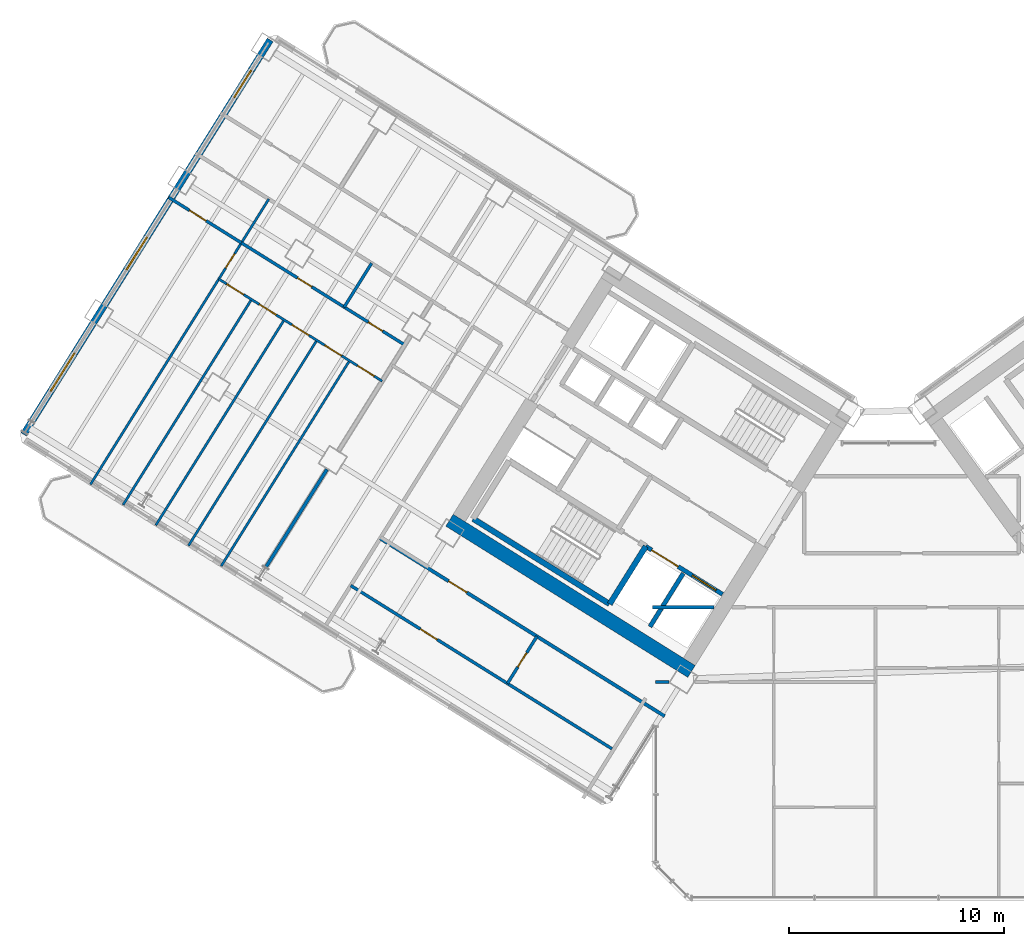
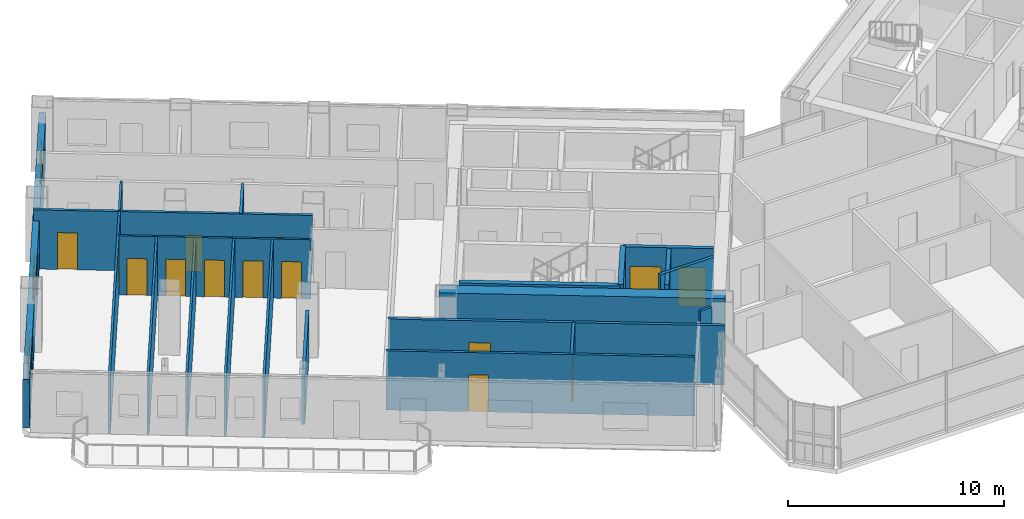
# One storey, part 15 of 28: 21 walls, 14 doors, 3 windows, 17 openings.
"""IFC4 building model written with IfcOpenShell, lengths in metres."""

from ifc_helpers import new_model, si_unit, direction, frame, frame_2d, origin, place, context, subcontext, project, spatial, rectangle, extrude, source, transform, mapped, material, layer, layer_set, type_object, element, fill, save


model = new_model("IFC4")

# Units and contexts
model_context = context("Model", 3, precision=1e-05, world=origin(), true_north=direction((0.0, 1.0)))
body_context = subcontext(model_context, "Body", "Model", "MODEL_VIEW")
ifc_project = project(units=[si_unit("LENGTHUNIT", "METRE"), si_unit("AREAUNIT", "SQUARE_METRE"), si_unit("VOLUMEUNIT", "CUBIC_METRE"), si_unit("PLANEANGLEUNIT", "RADIAN"), si_unit("MASSUNIT", "GRAM", prefix="KILO")], contexts=[model_context])

# Site, building, storey
site_placement = place(None, origin())
site = spatial("IfcSite", under=ifc_project, at=site_placement, CompositionType="ELEMENT")
building_placement = place(site_placement, origin())
building = spatial("IfcBuilding", under=site, at=building_placement, Name="Tlacorven Tower", CompositionType="ELEMENT")
storey_placement = place(building_placement, frame((0.0, 0.0, 27.60009765625)))
storey = spatial("IfcBuildingStorey", under=building, at=storey_placement, Name="L06", CompositionType="ELEMENT", Elevation=27.60009765625)

# Walls
ifc_material_1 = material(Name="Concrete C60/75", Category="concrete")
ifc_layer_1 = layer(ifc_material_1, 0.64990234375)
ifc_layer_set_1 = layer_set([ifc_layer_1], Name="Concrete C60/75")
wall_type_1 = type_object("IfcWallType", Name="WL-COR-650", PredefinedType="SHEAR", material=ifc_layer_set_1)
wall_1_placement = place(storey_placement, frame((33.40869140625, 12.449951171875, 0.0), z_axis=(0.0, 0.0, 1.0), x_axis=(-0.848051132073, 0.529914405721, 0.0)))
element("IfcWall", 1, at=wall_1_placement, inside=storey, type_object=wall_type_1, Name="L06 W core shear wall S2", PredefinedType="SHEAR", context=body_context, shape_type="SweptSolid", body=[
    extrude(rectangle(XDim=13.239990234375, YDim=0.64990234375, at=frame_2d((6.6201171875, 0.0))), origin(), (0.0, 0.0, 1.0), 3.349853515625),
])
ifc_material_2 = material(Name="Gypsum plasterboard acoustic partition", Category="gypsum")
ifc_layer_2 = layer(ifc_material_2, 0.159912109375)
ifc_layer_set_2 = layer_set([ifc_layer_2], Name="Gypsum plasterboard acoustic partition")
wall_type_2 = type_object("IfcWallType", Name="WL-DEM-160", PredefinedType="PARTITIONING", material=ifc_layer_set_2)
wall_2_placement = place(storey_placement, frame((16.4921875, 21.8271484375, 0.0), z_axis=(0.0, 0.0, 1.0), x_axis=(-0.529904608059, -0.848057254175, 0.0)))
element("IfcWall", 2, at=wall_2_placement, inside=storey, type_object=wall_type_2, Name="L06 WN Demising Wall 1", PredefinedType="PARTITIONING", context=body_context, shape_type="SweptSolid", body=[
    extrude(rectangle(XDim=5.350830078125, YDim=0.159912109375, at=frame_2d((2.67529296875, 0.0))), origin(), (0.0, 0.0, 1.0), 2.724853515625),
])

# Wall, opening, door
wall_3_placement = place(storey_placement, frame((32.164306640625, 10.373779296875, 0.0), z_axis=(0.0, 0.0, 1.0), x_axis=(-0.848044107957, 0.529925646633, 0.0)))
wall_3 = element("IfcWall", 3, at=wall_3_placement, inside=storey, type_object=wall_type_2, Name="L06 partition 69", PredefinedType="PARTITIONING", context=body_context, shape_type="SweptSolid", body=[
    extrude(rectangle(XDim=15.570068359375, YDim=0.159912109375, at=frame_2d((7.78515625, 0.0))), origin(), (0.0, 0.0, 1.0), 3.33984375),
])
opening_1_placement = place(wall_3_placement, frame((10.830078125, 0.0, 0.0)))
opening_1 = element("IfcOpeningElement", 4, at=opening_1_placement, cuts=wall_3, Name="Opening D11", PredefinedType="OPENING", context=body_context, shape_type="SweptSolid", body=[
    extrude(rectangle(XDim=1.0, YDim=2.10009765625, at=frame_2d((0.5, 1.050048828125))), frame((0.0, 0.08984375, 0.0), z_axis=(0.0, -1.0, 0.0), x_axis=(1.0, 0.0, 0.0)), (0.0, 0.0, 1.0), 0.179931640625),
])
ifc_material_3 = material(Name="Fire-rated steel door assembly", Category="steel")
door_type_1 = type_object("IfcDoorType", Name="DR-FLT-FD60-1000", OperationType="NOTDEFINED", PredefinedType="DOOR", material=ifc_material_3)
shared_shape_1 = source(origin(), body_context, "Body", "SweptSolid", [
    extrude(rectangle(XDim=1.0, YDim=2.10009765625, at=frame_2d((0.5, 1.050048828125))), frame((0.0, 0.02490234375, 0.0), z_axis=(0.0, -1.0, 0.0), x_axis=(1.0, 0.0, 0.0)), (0.0, 0.0, 1.0), 0.050048828125),
])
door_1_placement = place(opening_1_placement, origin())
door_1 = element("IfcDoor", 5, at=door_1_placement, inside=storey, type_object=door_type_1, Name="L06 door 038", OperationType="SINGLE_SWING_RIGHT", OverallHeight=2.10009765625, OverallWidth=1.0, PredefinedType="DOOR", context=body_context, shape_type="MappedRepresentation", body=[
    mapped(shared_shape_1, transform((0.0, 0.0, 0.0), scale=1.0)),
])
fill(opening_1, door_1)

# Wall
wall_4_placement = place(storey_placement, frame((31.60009765625, 15.419921875, 0.0), z_axis=(0.0, 0.0, 1.0), x_axis=(1.0, 0.0, 0.0)))
element("IfcWall", 6, at=wall_4_placement, inside=storey, type_object=wall_type_2, Name="L06 Knuckle Corridor South Wall", PredefinedType="PARTITIONING", context=body_context, shape_type="SweptSolid", body=[
    extrude(rectangle(XDim=2.8662109375, YDim=0.159912109375, at=frame_2d((1.43310546875, 0.0))), origin(), (0.0, 0.0, 1.0), 3.33984375),
])

# Wall, openings, windows
ifc_material_4 = material(Name="Precast concrete C45/55", Category="concrete")
ifc_layer_3 = layer(ifc_material_4, 0.320068359375)
ifc_layer_set_3 = layer_set([ifc_layer_3], Name="Precast concrete C45/55")
wall_type_3 = type_object("IfcWallType", Name="WL-EXT-320", PredefinedType="STANDARD", material=ifc_layer_set_3)
wall_5_placement = place(storey_placement, frame((2.41455078125, 23.452392578125, 0.0), z_axis=(0.0, 0.0, 1.0), x_axis=(0.52991049553, 0.848053575387, 0.0)))
wall_5 = element("IfcWall", 7, at=wall_5_placement, inside=storey, type_object=wall_type_3, Name="L06 Masonry-Frame Recessed Facade Wall 2", PredefinedType="STANDARD", context=body_context, shape_type="SweptSolid", body=[
    extrude(rectangle(XDim=21.58740234375, YDim=0.320068359375, at=frame_2d((10.793701171875, 0.0))), origin(), (0.0, 0.0, 1.0), 2.724853515625),
])
opening_2_placement = place(wall_5_placement, frame((2.356201171875, 0.0, 0.800048828125)))
opening_2 = element("IfcOpeningElement", 8, at=opening_2_placement, cuts=wall_5, Name="Opening WN04", PredefinedType="OPENING", context=body_context, shape_type="SweptSolid", body=[
    extrude(rectangle(XDim=2.10009765625, YDim=1.550048828125, at=frame_2d((1.050048828125, 0.77490234375))), frame((0.0, 0.169921875, 0.0), z_axis=(0.0, -1.0, 0.0), x_axis=(1.0, 0.0, 0.0)), (0.0, 0.0, 1.0), 0.340087890625),
])
opening_3_placement = place(wall_5_placement, frame((9.0087890625, 0.0, 0.85009765625)))
opening_3 = element("IfcOpeningElement", 9, at=opening_3_placement, cuts=wall_5, Name="Opening WN01", PredefinedType="OPENING", context=body_context, shape_type="SweptSolid", body=[
    extrude(rectangle(XDim=1.800048828125, YDim=1.5, at=frame_2d((0.89990234375, 0.75))), frame((0.0, 0.169921875, 0.0), z_axis=(0.0, -1.0, 0.0), x_axis=(1.0, 0.0, 0.0)), (0.0, 0.0, 1.0), 0.340087890625),
])
opening_4_placement = place(wall_5_placement, frame((18.43359375, 0.0, 0.85009765625)))
opening_4 = element("IfcOpeningElement", 10, at=opening_4_placement, cuts=wall_5, Name="Opening WN02", PredefinedType="OPENING", context=body_context, shape_type="SweptSolid", body=[
    extrude(rectangle(XDim=1.5, YDim=1.5, at=frame_2d((0.75, 0.75))), frame((0.0, 0.169921875, 0.0), z_axis=(0.0, -1.0, 0.0), x_axis=(1.0, 0.0, 0.0)), (0.0, 0.0, 1.0), 0.340087890625),
])
ifc_material_5 = material(Name="Dark solar low-E double glazing in anodised aluminium frame", Category="aluminium")
window_type_1 = type_object("IfcWindowType", Name="WN-APT-2100X1750", PartitioningType="SINGLE_PANEL", PredefinedType="WINDOW", material=ifc_material_5)
shared_shape_2 = source(origin(), body_context, "Body", "SweptSolid", [
    extrude(rectangle(XDim=2.10009765625, YDim=1.550048828125, at=frame_2d((1.050048828125, 0.77490234375))), frame((0.0, 0.030029296875, 0.0), z_axis=(0.0, -1.0, 0.0), x_axis=(1.0, 0.0, 0.0)), (0.0, 0.0, 1.0), 0.06005859375),
])
window_1_placement = place(opening_2_placement, origin())
window_1 = element("IfcWindow", 11, at=window_1_placement, inside=storey, type_object=window_type_1, Name="L06 Recessed Masonry-Frame Window L06-02.1", OverallHeight=1.550048828125, OverallWidth=2.10009765625, PartitioningType="SINGLE_PANEL", PredefinedType="WINDOW", context=body_context, shape_type="MappedRepresentation", body=[
    mapped(shared_shape_2, transform((0.0, 0.0, 0.0), scale=1.0)),
])
fill(opening_2, window_1)
window_type_2 = type_object("IfcWindowType", Name="WN-APT-1800X1650", PartitioningType="SINGLE_PANEL", PredefinedType="WINDOW", material=ifc_material_5)
shared_shape_3 = source(origin(), body_context, "Body", "SweptSolid", [
    extrude(rectangle(XDim=1.800048828125, YDim=1.5, at=frame_2d((0.89990234375, 0.75))), frame((0.0, 0.030029296875, 0.0), z_axis=(0.0, -1.0, 0.0), x_axis=(1.0, 0.0, 0.0)), (0.0, 0.0, 1.0), 0.06005859375),
])
window_2_placement = place(opening_3_placement, origin())
window_2 = element("IfcWindow", 12, at=window_2_placement, inside=storey, type_object=window_type_2, Name="L06 Recessed Masonry-Frame Window L06-02.2", OverallHeight=1.5, OverallWidth=1.800048828125, PartitioningType="SINGLE_PANEL", PredefinedType="WINDOW", context=body_context, shape_type="MappedRepresentation", body=[
    mapped(shared_shape_3, transform((0.0, 0.0, 0.0), scale=1.0)),
])
fill(opening_3, window_2)
window_type_3 = type_object("IfcWindowType", Name="WN-APT-1500X1650", PartitioningType="SINGLE_PANEL", PredefinedType="WINDOW", material=ifc_material_5)
shared_shape_4 = source(origin(), body_context, "Body", "SweptSolid", [
    extrude(rectangle(XDim=1.5, YDim=1.5, at=frame_2d((0.75, 0.75))), frame((0.0, 0.030029296875, 0.0), z_axis=(0.0, -1.0, 0.0), x_axis=(1.0, 0.0, 0.0)), (0.0, 0.0, 1.0), 0.06005859375),
])
window_3_placement = place(opening_4_placement, origin())
window_3 = element("IfcWindow", 13, at=window_3_placement, inside=storey, type_object=window_type_3, Name="L06 Recessed Masonry-Frame Window L06-02.3", OverallHeight=1.5, OverallWidth=1.5, PartitioningType="SINGLE_PANEL", PredefinedType="WINDOW", context=body_context, shape_type="MappedRepresentation", body=[
    mapped(shared_shape_4, transform((0.0, 0.0, 0.0), scale=1.0)),
])
fill(opening_4, window_3)

# Wall, opening, door
ifc_material_6 = material(Name="Gypsum plasterboard partition", Category="gypsum")
ifc_layer_4 = layer(ifc_material_6, 0.110107421875)
ifc_layer_set_4 = layer_set([ifc_layer_4], Name="Gypsum plasterboard partition")
wall_type_4 = type_object("IfcWallType", Name="WL-INT-110", PredefinedType="PARTITIONING", material=ifc_layer_set_4)
wall_6_placement = place(storey_placement, frame((13.79248046875, 34.376708984375, 0.0), z_axis=(0.0, 0.0, 1.0), x_axis=(-0.529924475241, -0.848044839935, 0.0)))
wall_6 = element("IfcWall", 14, at=wall_6_placement, inside=storey, type_object=wall_type_4, Name="L06 partition 57", PredefinedType="PARTITIONING", context=body_context, shape_type="SweptSolid", body=[
    extrude(rectangle(XDim=15.619873046875, YDim=0.110107421875, at=frame_2d((7.81005859375, 0.0))), origin(), (0.0, 0.0, 1.0), 3.33984375),
])
opening_5_placement = place(wall_6_placement, frame((3.0, 0.0, 0.0)))
opening_5 = element("IfcOpeningElement", 15, at=opening_5_placement, cuts=wall_6, Name="Opening D22", PredefinedType="OPENING", context=body_context, shape_type="SweptSolid", body=[
    extrude(rectangle(XDim=0.780029296875, YDim=2.050048828125, at=frame_2d((0.39013671875, 1.02490234375))), frame((0.0, 0.06494140625, 0.0), z_axis=(0.0, -1.0, 0.0), x_axis=(1.0, 0.0, 0.0)), (0.0, 0.0, 1.0), 0.130126953125),
])
ifc_material_7 = material(Name="Powder-coated aluminium and timber door", Category="wood")
door_type_2 = type_object("IfcDoorType", Name="DR-INT-WET-0780", OperationType="NOTDEFINED", PredefinedType="DOOR", material=ifc_material_7)
shared_shape_5 = source(origin(), body_context, "Body", "SweptSolid", [
    extrude(rectangle(XDim=0.780029296875, YDim=2.050048828125, at=frame_2d((0.39013671875, 1.02490234375))), frame((0.0, 0.02490234375, 0.0), z_axis=(0.0, -1.0, 0.0), x_axis=(1.0, 0.0, 0.0)), (0.0, 0.0, 1.0), 0.050048828125),
])
door_2_placement = place(opening_5_placement, origin())
door_2 = element("IfcDoor", 16, at=door_2_placement, inside=storey, type_object=door_type_2, Name="L06 door 027", OperationType="SINGLE_SWING_LEFT", OverallHeight=2.050048828125, OverallWidth=0.780029296875, PredefinedType="DOOR", context=body_context, shape_type="MappedRepresentation", body=[
    mapped(shared_shape_5, transform((0.0, 0.0, 0.0), scale=1.0)),
])
fill(opening_5, door_2)

# Wall, openings, doors
wall_7_placement = place(storey_placement, frame((19.052978515625, 25.9248046875, 0.0), z_axis=(0.0, 0.0, 1.0), x_axis=(-0.848051995289, 0.529913024266, 0.0)))
wall_7 = element("IfcWall", 17, at=wall_7_placement, inside=storey, type_object=wall_type_4, Name="L06 partition 62", PredefinedType="PARTITIONING", context=body_context, shape_type="SweptSolid", body=[
    extrude(rectangle(XDim=8.940185546875, YDim=0.110107421875, at=frame_2d((4.47021484375, 0.0))), origin(), (0.0, 0.0, 1.0), 3.33984375),
])
opening_6_placement = place(wall_7_placement, frame((0.43408203125, 0.0, 0.0)))
opening_6 = element("IfcOpeningElement", 18, at=opening_6_placement, cuts=wall_7, Name="Opening D12", PredefinedType="OPENING", context=body_context, shape_type="SweptSolid", body=[
    extrude(rectangle(XDim=0.919921875, YDim=2.080078125, at=frame_2d((0.4599609375, 1.0400390625))), frame((0.0, 0.06494140625, 0.0), z_axis=(0.0, -1.0, 0.0), x_axis=(1.0, 0.0, 0.0)), (0.0, 0.0, 1.0), 0.130126953125),
])
opening_7_placement = place(wall_7_placement, frame((2.221923828125, 0.0, 0.0)))
opening_7 = element("IfcOpeningElement", 19, at=opening_7_placement, cuts=wall_7, Name="Opening D12", PredefinedType="OPENING", context=body_context, shape_type="SweptSolid", body=[
    extrude(rectangle(XDim=0.919921875, YDim=2.080078125, at=frame_2d((0.4599609375, 1.0400390625))), frame((0.0, 0.06494140625, 0.0), z_axis=(0.0, -1.0, 0.0), x_axis=(1.0, 0.0, 0.0)), (0.0, 0.0, 1.0), 0.130126953125),
])
opening_8_placement = place(wall_7_placement, frame((4.010009765625, 0.0, 0.0)))
opening_8 = element("IfcOpeningElement", 20, at=opening_8_placement, cuts=wall_7, Name="Opening D12", PredefinedType="OPENING", context=body_context, shape_type="SweptSolid", body=[
    extrude(rectangle(XDim=0.919921875, YDim=2.080078125, at=frame_2d((0.4599609375, 1.0400390625))), frame((0.0, 0.06494140625, 0.0), z_axis=(0.0, -1.0, 0.0), x_axis=(1.0, 0.0, 0.0)), (0.0, 0.0, 1.0), 0.130126953125),
])
opening_9_placement = place(wall_7_placement, frame((5.798095703125, 0.0, 0.0)))
opening_9 = element("IfcOpeningElement", 21, at=opening_9_placement, cuts=wall_7, Name="Opening D12", PredefinedType="OPENING", context=body_context, shape_type="SweptSolid", body=[
    extrude(rectangle(XDim=0.919921875, YDim=2.080078125, at=frame_2d((0.4599609375, 1.0400390625))), frame((0.0, 0.06494140625, 0.0), z_axis=(0.0, -1.0, 0.0), x_axis=(1.0, 0.0, 0.0)), (0.0, 0.0, 1.0), 0.130126953125),
])
opening_10_placement = place(wall_7_placement, frame((7.5859375, 0.0, 0.0)))
opening_10 = element("IfcOpeningElement", 22, at=opening_10_placement, cuts=wall_7, Name="Opening D12", PredefinedType="OPENING", context=body_context, shape_type="SweptSolid", body=[
    extrude(rectangle(XDim=0.919921875, YDim=2.080078125, at=frame_2d((0.4599609375, 1.0400390625))), frame((0.0, 0.06494140625, 0.0), z_axis=(0.0, -1.0, 0.0), x_axis=(1.0, 0.0, 0.0)), (0.0, 0.0, 1.0), 0.130126953125),
])
door_type_3 = type_object("IfcDoorType", Name="DR-INT-ROOM-0920", OperationType="NOTDEFINED", PredefinedType="DOOR", material=ifc_material_7)
shared_shape_6 = source(origin(), body_context, "Body", "SweptSolid", [
    extrude(rectangle(XDim=0.919921875, YDim=2.080078125, at=frame_2d((0.4599609375, 1.0400390625))), frame((0.0, 0.02490234375, 0.0), z_axis=(0.0, -1.0, 0.0), x_axis=(1.0, 0.0, 0.0)), (0.0, 0.0, 1.0), 0.050048828125),
])
door_3_placement = place(opening_6_placement, origin())
door_3 = element("IfcDoor", 23, at=door_3_placement, inside=storey, type_object=door_type_3, Name="L06 door 030", OperationType="SINGLE_SWING_RIGHT", OverallHeight=2.080078125, OverallWidth=0.919921875, PredefinedType="DOOR", context=body_context, shape_type="MappedRepresentation", body=[
    mapped(shared_shape_6, transform((0.0, 0.0, 0.0), scale=1.0)),
])
fill(opening_6, door_3)
door_4_placement = place(opening_7_placement, origin())
door_4 = element("IfcDoor", 24, at=door_4_placement, inside=storey, type_object=door_type_3, Name="L06 door 031", OperationType="SINGLE_SWING_LEFT", OverallHeight=2.080078125, OverallWidth=0.919921875, PredefinedType="DOOR", context=body_context, shape_type="MappedRepresentation", body=[
    mapped(shared_shape_6, transform((0.0, 0.0, 0.0), scale=1.0)),
])
fill(opening_7, door_4)
door_5_placement = place(opening_8_placement, origin())
door_5 = element("IfcDoor", 25, at=door_5_placement, inside=storey, type_object=door_type_3, Name="L06 door 032", OperationType="SINGLE_SWING_RIGHT", OverallHeight=2.080078125, OverallWidth=0.919921875, PredefinedType="DOOR", context=body_context, shape_type="MappedRepresentation", body=[
    mapped(shared_shape_6, transform((0.0, 0.0, 0.0), scale=1.0)),
])
fill(opening_8, door_5)
door_6_placement = place(opening_9_placement, origin())
door_6 = element("IfcDoor", 26, at=door_6_placement, inside=storey, type_object=door_type_3, Name="L06 door 033", OperationType="SINGLE_SWING_LEFT", OverallHeight=2.080078125, OverallWidth=0.919921875, PredefinedType="DOOR", context=body_context, shape_type="MappedRepresentation", body=[
    mapped(shared_shape_6, transform((0.0, 0.0, 0.0), scale=1.0)),
])
fill(opening_9, door_6)
door_7_placement = place(opening_10_placement, origin())
door_7 = element("IfcDoor", 27, at=door_7_placement, inside=storey, type_object=door_type_3, Name="L06 door 034", OperationType="SINGLE_SWING_RIGHT", OverallHeight=2.080078125, OverallWidth=0.919921875, PredefinedType="DOOR", context=body_context, shape_type="MappedRepresentation", body=[
    mapped(shared_shape_6, transform((0.0, 0.0, 0.0), scale=1.0)),
])
fill(opening_10, door_7)

# Walls
for number, where, z_axis, x_axis, name in (
    (28, (17.53662109375, 26.872314453125, 0.0), (0.0, 0.0, 1.0), (-0.529922792977, -0.848045891142, 0.0), "L06 partition 63"),
    (29, (16.020263671875, 27.81982421875, 0.0), (0.0, 0.0, 1.0), (-0.529922792977, -0.848045891142, 0.0), "L06 partition 64"),
    (30, (14.50390625, 28.767333984375, 0.0), (0.0, 0.0, 1.0), (-0.529922792977, -0.848045891142, 0.0), "L06 partition 65"),
    (31, (12.987548828125, 29.71484375, 0.0), (0.0, 0.0, 1.0), (-0.529922792977, -0.848045891142, 0.0), "L06 partition 66"),
):
    element("IfcWall", number, at=place(storey_placement, frame(where, z_axis=z_axis, x_axis=x_axis)), inside=storey, type_object=wall_type_4, Name=name, PredefinedType="PARTITIONING", context=body_context, shape_type="SweptSolid", body=[
        extrude(rectangle(XDim=11.239990234375, YDim=0.110107421875, at=frame_2d((5.6201171875, 0.0))), origin(), (0.0, 0.0, 1.0), 3.33984375),
    ])

# Wall, opening, door
ifc_material_8 = material(Name="Moisture-resistant gypsum plumbing wall", Category="gypsum")
ifc_layer_5 = layer(ifc_material_8, 0.139892578125)
ifc_layer_set_5 = layer_set([ifc_layer_5], Name="Moisture-resistant gypsum plumbing wall")
wall_type_5 = type_object("IfcWallType", Name="WL-PLM-140", PredefinedType="PLUMBINGWALL", material=ifc_layer_set_5)
wall_8_placement = place(storey_placement, frame((12.5205078125, 32.341552734375, 0.0), z_axis=(0.0, 0.0, 1.0), x_axis=(-0.848043100782, 0.52992725842, 0.0)))
wall_8 = element("IfcWall", 32, at=wall_8_placement, inside=storey, type_object=wall_type_5, Name="L06 partition 59", PredefinedType="PLUMBINGWALL", context=body_context, shape_type="SweptSolid", body=[
    extrude(rectangle(XDim=3.97998046875, YDim=0.139892578125, at=frame_2d((1.989990234375, 0.0))), origin(), (0.0, 0.0, 1.0), 3.33984375),
])
opening_11_placement = place(wall_8_placement, frame((1.929931640625, 0.0, 0.0)))
opening_11 = element("IfcOpeningElement", 33, at=opening_11_placement, cuts=wall_8, Name="Opening D12", PredefinedType="OPENING", context=body_context, shape_type="SweptSolid", body=[
    extrude(rectangle(XDim=0.919921875, YDim=2.080078125, at=frame_2d((0.4599609375, 1.0400390625))), frame((0.0, 0.080078125, 0.0), z_axis=(0.0, -1.0, 0.0), x_axis=(1.0, 0.0, 0.0)), (0.0, 0.0, 1.0), 0.159912109375),
])
door_8_placement = place(opening_11_placement, origin())
door_8 = element("IfcDoor", 34, at=door_8_placement, inside=storey, type_object=door_type_3, Name="L06 door 026", OperationType="SINGLE_SWING_RIGHT", OverallHeight=2.080078125, OverallWidth=0.919921875, PredefinedType="DOOR", context=body_context, shape_type="MappedRepresentation", body=[
    mapped(shared_shape_6, transform((0.0, 0.0, 0.0), scale=1.0)),
])
fill(opening_11, door_8)

# Wall, openings, doors
wall_9_placement = place(storey_placement, frame((20.10205078125, 27.60400390625, 0.0), z_axis=(0.0, 0.0, 1.0), x_axis=(-0.848044326704, 0.52992529657, 0.0)))
wall_9 = element("IfcWall", 35, at=wall_9_placement, inside=storey, type_object=wall_type_5, Name="L06 partition 60", PredefinedType="PLUMBINGWALL", context=body_context, shape_type="SweptSolid", body=[
    extrude(rectangle(XDim=8.93994140625, YDim=0.139892578125, at=frame_2d((4.469970703125, 0.0))), origin(), (0.0, 0.0, 1.0), 3.33984375),
])
opening_12_placement = place(wall_9_placement, frame((5.08740234375, 0.0, 0.0)))
opening_12 = element("IfcOpeningElement", 36, at=opening_12_placement, cuts=wall_9, Name="Opening D22", PredefinedType="OPENING", context=body_context, shape_type="SweptSolid", body=[
    extrude(rectangle(XDim=0.780029296875, YDim=2.050048828125, at=frame_2d((0.39013671875, 1.02490234375))), frame((0.0, 0.080078125, 0.0), z_axis=(0.0, -1.0, 0.0), x_axis=(1.0, 0.0, 0.0)), (0.0, 0.0, 1.0), 0.159912109375),
])
opening_13_placement = place(wall_9_placement, frame((1.217529296875, 0.0, 0.0)))
opening_13 = element("IfcOpeningElement", 37, at=opening_13_placement, cuts=wall_9, Name="Opening D22", PredefinedType="OPENING", context=body_context, shape_type="SweptSolid", body=[
    extrude(rectangle(XDim=0.780029296875, YDim=2.050048828125, at=frame_2d((0.39013671875, 1.02490234375))), frame((0.0, 0.080078125, 0.0), z_axis=(0.0, -1.0, 0.0), x_axis=(1.0, 0.0, 0.0)), (0.0, 0.0, 1.0), 0.159912109375),
])
door_9_placement = place(opening_12_placement, origin())
door_9 = element("IfcDoor", 38, at=door_9_placement, inside=storey, type_object=door_type_2, Name="L06 door 028", OperationType="SINGLE_SWING_RIGHT", OverallHeight=2.050048828125, OverallWidth=0.780029296875, PredefinedType="DOOR", context=body_context, shape_type="MappedRepresentation", body=[
    mapped(shared_shape_5, transform((0.0, 0.0, 0.0), scale=1.0)),
])
fill(opening_12, door_9)
door_10_placement = place(opening_13_placement, origin())
door_10 = element("IfcDoor", 39, at=door_10_placement, inside=storey, type_object=door_type_2, Name="L06 door 029", OperationType="SINGLE_SWING_LEFT", OverallHeight=2.050048828125, OverallWidth=0.780029296875, PredefinedType="DOOR", context=body_context, shape_type="MappedRepresentation", body=[
    mapped(shared_shape_5, transform((0.0, 0.0, 0.0), scale=1.0)),
])
fill(opening_13, door_10)

# Wall
wall_10_placement = place(storey_placement, frame((18.562744140625, 31.39599609375, 0.0), z_axis=(0.0, 0.0, 1.0), x_axis=(-0.530008045701, -0.847992612876, 0.0)))
element("IfcWall", 40, at=wall_10_placement, inside=storey, type_object=wall_type_5, Name="L06 partition 61", PredefinedType="PLUMBINGWALL", context=body_context, shape_type="SweptSolid", body=[
    extrude(rectangle(XDim=2.41015625, YDim=0.139892578125, at=frame_2d((1.205078125, 0.0))), origin(), (0.0, 0.0, 1.0), 3.33984375),
])

# Wall, opening, door
wall_11_placement = place(storey_placement, frame((29.72021484375, 8.85888671875, 0.0), z_axis=(0.0, 0.0, 1.0), x_axis=(-0.848049134363, 0.529917602752, 0.0)))
wall_11 = element("IfcWall", 41, at=wall_11_placement, inside=storey, type_object=wall_type_5, Name="L06 partition 71", PredefinedType="PLUMBINGWALL", context=body_context, shape_type="SweptSolid", body=[
    extrude(rectangle(XDim=14.300048828125, YDim=0.139892578125, at=frame_2d((7.14990234375, 0.0))), origin(), (0.0, 0.0, 1.0), 3.33984375),
])
opening_14_placement = place(wall_11_placement, frame((9.570068359375, 0.0, 0.0)))
opening_14 = element("IfcOpeningElement", 42, at=opening_14_placement, cuts=wall_11, Name="Opening D12", PredefinedType="OPENING", context=body_context, shape_type="SweptSolid", body=[
    extrude(rectangle(XDim=0.919921875, YDim=2.080078125, at=frame_2d((0.4599609375, 1.0400390625))), frame((0.0, 0.080078125, 0.0), z_axis=(0.0, -1.0, 0.0), x_axis=(1.0, 0.0, 0.0)), (0.0, 0.0, 1.0), 0.159912109375),
])
door_11_placement = place(opening_14_placement, origin())
door_11 = element("IfcDoor", 43, at=door_11_placement, inside=storey, type_object=door_type_3, Name="L06 door 039", OperationType="SINGLE_SWING_LEFT", OverallHeight=2.080078125, OverallWidth=0.919921875, PredefinedType="DOOR", context=body_context, shape_type="MappedRepresentation", body=[
    mapped(shared_shape_6, transform((0.0, 0.0, 0.0), scale=1.0)),
])
fill(opening_14, door_11)

wall_12_placement = place(storey_placement, frame((26.236572265625, 14.077880859375, 0.0), z_axis=(0.0, 0.0, 1.0), x_axis=(-0.52995640672, -0.848024885824, 0.0)))
wall_12 = element("IfcWall", 44, at=wall_12_placement, inside=storey, type_object=wall_type_5, Name="L06 partition 72", PredefinedType="PLUMBINGWALL", context=body_context, shape_type="SweptSolid", body=[
    extrude(rectangle(XDim=2.579833984375, YDim=0.139892578125, at=frame_2d((1.2900390625, 0.0))), origin(), (0.0, 0.0, 1.0), 3.33984375),
])
opening_15_placement = place(wall_12_placement, frame((0.89990234375, 0.0, 0.0)))
opening_15 = element("IfcOpeningElement", 45, at=opening_15_placement, cuts=wall_12, Name="Opening D22", PredefinedType="OPENING", context=body_context, shape_type="SweptSolid", body=[
    extrude(rectangle(XDim=0.780029296875, YDim=2.050048828125, at=frame_2d((0.39013671875, 1.02490234375))), frame((0.0, 0.080078125, 0.0), z_axis=(0.0, -1.0, 0.0), x_axis=(1.0, 0.0, 0.0)), (0.0, 0.0, 1.0), 0.159912109375),
])
door_12_placement = place(opening_15_placement, origin())
door_12 = element("IfcDoor", 46, at=door_12_placement, inside=storey, type_object=door_type_2, Name="L06 door 040", OperationType="SINGLE_SWING_RIGHT", OverallHeight=2.050048828125, OverallWidth=0.780029296875, PredefinedType="DOOR", context=body_context, shape_type="MappedRepresentation", body=[
    mapped(shared_shape_5, transform((0.0, 0.0, 0.0), scale=1.0)),
])
fill(opening_15, door_12)

# Wall
wall_13_placement = place(storey_placement, frame((31.739990234375, 11.949951171875, 0.0), z_axis=(0.0, 0.0, 1.0), x_axis=(1.0, 0.0, 0.0)))
element("IfcWall", 47, at=wall_13_placement, inside=storey, type_object=wall_type_5, Name="L06 partition 82", PredefinedType="PLUMBINGWALL", context=body_context, shape_type="SweptSolid", body=[
    extrude(rectangle(XDim=0.616943359375, YDim=0.139892578125, at=frame_2d((0.30859375, 0.0))), origin(), (0.0, 0.0, 1.0), 3.33984375),
])

# Wall, openings, doors
ifc_material_9 = material(Name="Concrete C40/50", Category="concrete")
ifc_layer_6 = layer(ifc_material_9, 0.199951171875)
ifc_layer_set_6 = layer_set([ifc_layer_6], Name="Concrete C40/50")
wall_type_6 = type_object("IfcWallType", Name="WL-SHF-200", PredefinedType="STANDARD", material=ifc_layer_set_6)
wall_14_placement = place(storey_placement, frame((34.84814453125, 16.03125, 0.0), z_axis=(0.0, 0.0, 1.0), x_axis=(-0.848044042236, 0.529925751807, 0.0)))
wall_14 = element("IfcWall", 48, at=wall_14_placement, inside=storey, type_object=wall_type_6, Name="L06 Core W Firefighting Lift Shaft Front Wall", PredefinedType="STANDARD", context=body_context, shape_type="SweptSolid", body=[
    extrude(rectangle(XDim=4.197998046875, YDim=0.199951171875, at=frame_2d((2.09912109375, 0.0))), origin(), (0.0, 0.0, 1.0), 3.33984375),
])
opening_16_placement = place(wall_14_placement, frame((0.347900390625, 0.0, 0.0)))
opening_16 = element("IfcOpeningElement", 49, at=opening_16_placement, cuts=wall_14, Name="Opening LD03", PredefinedType="OPENING", context=body_context, shape_type="SweptSolid", body=[
    extrude(rectangle(XDim=1.300048828125, YDim=2.199951171875, at=frame_2d((0.64990234375, 1.10009765625))), frame((0.0, 0.10986328125, 0.0), z_axis=(0.0, -1.0, 0.0), x_axis=(1.0, 0.0, 0.0)), (0.0, 0.0, 1.0), 0.219970703125),
])
opening_17_placement = place(wall_14_placement, frame((2.423095703125, 0.0, 0.0)))
opening_17 = element("IfcOpeningElement", 50, at=opening_17_placement, cuts=wall_14, Name="Opening LD04", PredefinedType="OPENING", context=body_context, shape_type="SweptSolid", body=[
    extrude(rectangle(XDim=1.449951171875, YDim=2.25, at=frame_2d((0.72509765625, 1.125))), frame((0.0, 0.10986328125, 0.0), z_axis=(0.0, -1.0, 0.0), x_axis=(1.0, 0.0, 0.0)), (0.0, 0.0, 1.0), 0.219970703125),
])
door_type_4 = type_object("IfcDoorType", Name="DR-LFT-SLID-1300", OperationType="DOUBLE_DOOR_SLIDING", PredefinedType="DOOR", material=ifc_material_3)
shared_shape_7 = source(origin(), body_context, "Body", "SweptSolid", [
    extrude(rectangle(XDim=1.300048828125, YDim=2.199951171875, at=frame_2d((0.64990234375, 1.10009765625))), frame((0.0, 0.02490234375, 0.0), z_axis=(0.0, -1.0, 0.0), x_axis=(1.0, 0.0, 0.0)), (0.0, 0.0, 1.0), 0.050048828125),
])
door_13_placement = place(opening_16_placement, origin())
door_13 = element("IfcDoor", 51, at=door_13_placement, inside=storey, type_object=door_type_4, Name="L06 Lift FFL-W1 Sliding Landing Door", OperationType="DOUBLE_DOOR_SLIDING", OverallHeight=2.199951171875, OverallWidth=1.300048828125, PredefinedType="DOOR", context=body_context, shape_type="MappedRepresentation", body=[
    mapped(shared_shape_7, transform((0.0, 0.0, 0.0), scale=1.0)),
])
fill(opening_16, door_13)
door_type_5 = type_object("IfcDoorType", Name="DR-LFT-SLID-1450", OperationType="DOUBLE_DOOR_SLIDING", PredefinedType="DOOR", material=ifc_material_3)
shared_shape_8 = source(origin(), body_context, "Body", "SweptSolid", [
    extrude(rectangle(XDim=1.449951171875, YDim=2.25, at=frame_2d((0.72509765625, 1.125))), frame((0.0, 0.02490234375, 0.0), z_axis=(0.0, -1.0, 0.0), x_axis=(1.0, 0.0, 0.0)), (0.0, 0.0, 1.0), 0.050048828125),
])
door_14_placement = place(opening_17_placement, origin())
door_14 = element("IfcDoor", 52, at=door_14_placement, inside=storey, type_object=door_type_5, Name="L06 Lift SVL-W1 Sliding Landing Door", OperationType="DOUBLE_DOOR_SLIDING", OverallHeight=2.25, OverallWidth=1.449951171875, PredefinedType="DOOR", context=body_context, shape_type="MappedRepresentation", body=[
    mapped(shared_shape_8, transform((0.0, 0.0, 0.0), scale=1.0)),
])
fill(opening_17, door_14)

# Walls
wall_15_placement = place(storey_placement, frame((33.02880859375, 17.003173828125, 0.0), z_axis=(0.0, 0.0, 1.0), x_axis=(-0.529916267533, -0.848049968695, 0.0)))
element("IfcWall", 53, at=wall_15_placement, inside=storey, type_object=wall_type_6, Name="L06 partition 14", PredefinedType="STANDARD", context=body_context, shape_type="SweptSolid", body=[
    extrude(rectangle(XDim=2.919921875, YDim=0.199951171875, at=frame_2d((1.4599609375, 0.0))), origin(), (0.0, 0.0, 1.0), 3.33984375),
])
ifc_material_10 = material(Name="Concrete C50/60", Category="concrete")
ifc_layer_7 = layer(ifc_material_10, 0.260009765625)
ifc_layer_set_7 = layer_set([ifc_layer_7], Name="Concrete C50/60")
wall_type_7 = type_object("IfcWallType", Name="WL-STW-260", PredefinedType="SHEAR", material=ifc_layer_set_7)
wall_16_placement = place(storey_placement, frame((29.60498046875, 15.581298828125, 0.0), z_axis=(0.0, 0.0, 1.0), x_axis=(-0.848036911448, 0.529937163087, 0.0)))
element("IfcWall", 54, at=wall_16_placement, inside=storey, type_object=wall_type_7, Name="L06 Stair W1 Far Shear Wall", PredefinedType="SHEAR", context=body_context, shape_type="SweptSolid", body=[
    extrude(rectangle(XDim=7.4599609375, YDim=0.260009765625, at=frame_2d((3.72998046875, 0.0))), origin(), (0.0, 0.0, 1.0), 3.349853515625),
])
wall_17_placement = place(storey_placement, frame((31.2880859375, 18.255859375, 0.0), z_axis=(0.0, 0.0, 1.0), x_axis=(-0.529943379326, -0.848033026897, 0.0)))
element("IfcWall", 55, at=wall_17_placement, inside=storey, type_object=wall_type_7, Name="L06 Stair W1 West Shear Wall", PredefinedType="SHEAR", context=body_context, shape_type="SweptSolid", body=[
    extrude(rectangle(XDim=3.159912109375, YDim=0.260009765625, at=frame_2d((1.580078125, 0.0))), origin(), (0.0, 0.0, 1.0), 3.349853515625),
])

save(model, "model.ifc")
